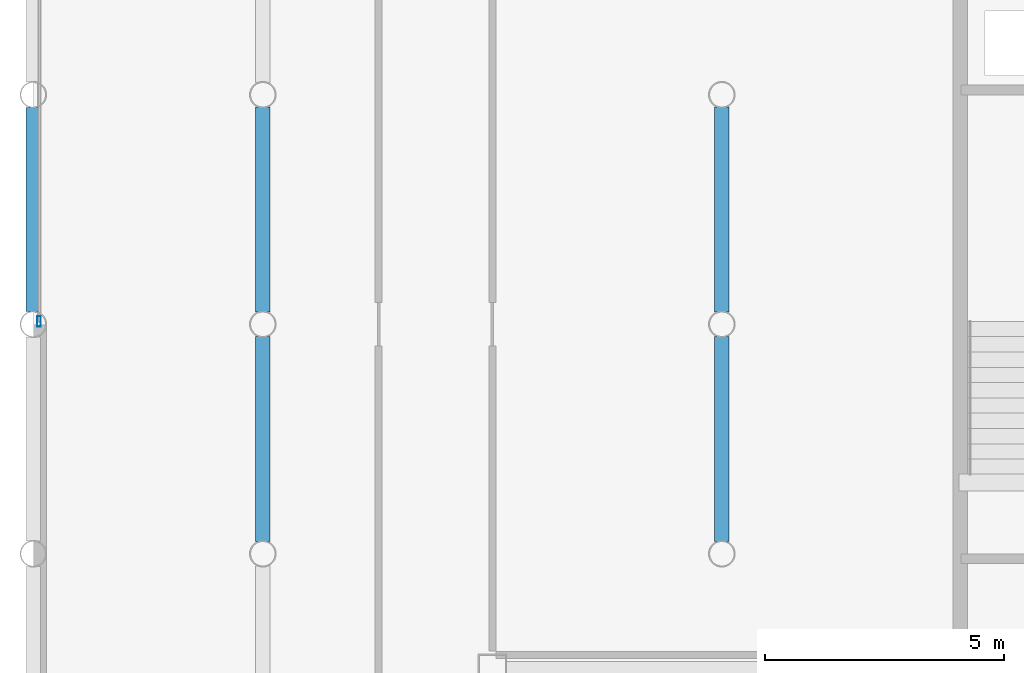
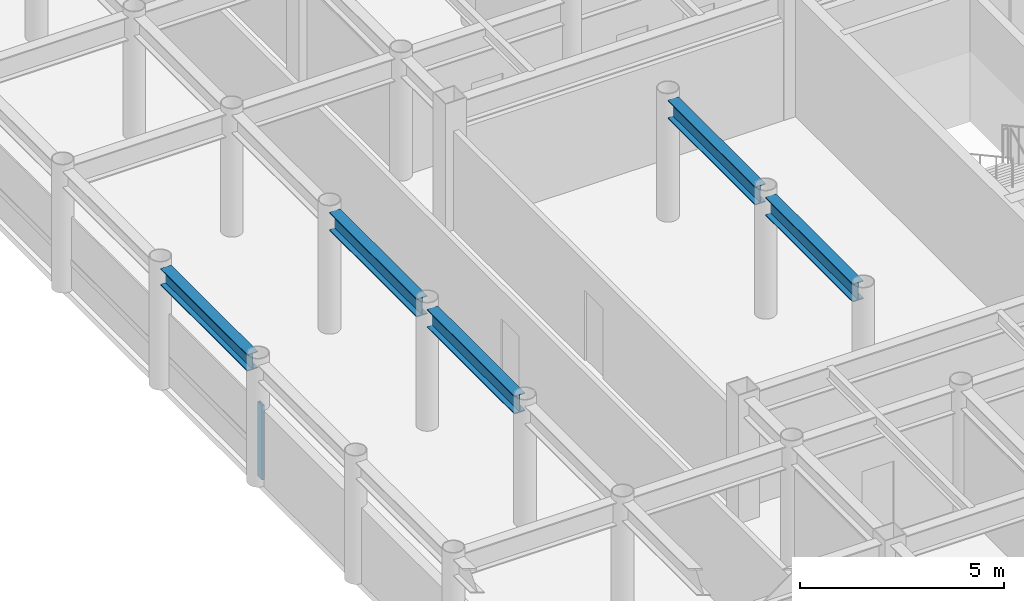
# One storey, part 6 of 22: 5 beams, 1 member, 1 element without a shape of its own.
"""IFC4 building model written with IfcOpenShell, lengths in metres."""

from ifc_helpers import new_model, si_unit, direction, frame, origin, origin_2d, place, context, subcontext, project, spatial, hollow_rectangle, i_section, extrude, material, layer, layer_set, material_profile, profile_set, type_object, element, aggregate, save


model = new_model("IFC4")

# Units and contexts
model_context = context("Model", 3, precision=1e-05, world=origin(), true_north=direction((0.0, 1.0)))
body_context = subcontext(model_context, "Body", "Model", "MODEL_VIEW")
ifc_project = project(units=[si_unit("LENGTHUNIT", "METRE"), si_unit("AREAUNIT", "SQUARE_METRE"), si_unit("VOLUMEUNIT", "CUBIC_METRE"), si_unit("PLANEANGLEUNIT", "RADIAN"), si_unit("MASSUNIT", "GRAM", prefix="KILO")], contexts=[model_context])

# Site, building, storey
site_placement = place(None, origin())
site = spatial("IfcSite", under=ifc_project, at=site_placement, CompositionType="ELEMENT")
building_placement = place(site_placement, origin())
building = spatial("IfcBuilding", under=site, at=building_placement, Name="Kallvorn Hotel Tower", CompositionType="ELEMENT")
storey_placement = place(building_placement, frame((0.0, 0.0, 253.10009765625)))
storey = spatial("IfcBuildingStorey", under=building, at=storey_placement, Name="L63", CompositionType="ELEMENT", Elevation=253.10009765625)

# Beams
ifc_material_1 = material(Name="Structural steel S355JR", Category="steel")
ifc_material_profile_1 = material_profile(ifc_material_1, i_section(OverallWidth=0.300048828125, OverallDepth=0.5, WebThickness=0.014404296875, FlangeThickness=0.028076171875, at=origin_2d()), Name="HE 500 B")
ifc_profile_set_1 = profile_set([ifc_material_profile_1], Name="Structural steel S355JR")
beam_type_1 = type_object("IfcBeamType", Name="BM_HE500B", PredefinedType="SPANDREL", material=ifc_profile_set_1)
beam_placement = place(storey_placement, frame((-33.60009765625, 0.26953125, 3.419921875), z_axis=(0.0, 1.0, 0.0), x_axis=(-1.0, 0.0, 0.0)))
element("IfcBeam", 1, at=beam_placement, inside=storey, type_object=beam_type_1, Name="L64 Perimeter Spandrel 177", PredefinedType="SPANDREL", context=body_context, shape_type="SweptSolid", body=[
    extrude(i_section(OverallWidth=0.300048828125, OverallDepth=0.5, WebThickness=0.014404296875, FlangeThickness=0.028076171875, at=origin_2d()), origin(), (0.0, 0.0, 1.0), 4.260986328125),
])
ifc_material_2 = material(Name="Structural steel S355JR", Category="steel")
ifc_material_profile_2 = material_profile(ifc_material_2, i_section(OverallWidth=0.300048828125, OverallDepth=0.550048828125, WebThickness=0.014892578125, FlangeThickness=0.029052734375, at=origin_2d()), Name="HE 550 B")
ifc_profile_set_2 = profile_set([ifc_material_profile_2], Name="Structural steel S355JR")
beam_type_2 = type_object("IfcBeamType", Name="BM_HE550B", PredefinedType="SPANDREL", material=ifc_profile_set_2)
for number, where, z_axis, x_axis, name in (
    (2, (-28.800048828125, -4.54541015625, 3.39501953125), (0.0, 1.0, 0.0), (-1.0, 0.0, 0.0), "L64 Primary Y-Girder 76"),
    (3, (-28.800048828125, 0.25439453125, 3.39501953125), (0.0, 1.0, 0.0), (-1.0, 0.0, 0.0), "L64 Primary Y-Girder 77"),
    (4, (-19.199951171875, -4.54541015625, 3.39501953125), (0.0, 1.0, 0.0), (-1.0, 0.0, 0.0), "L64 Primary Y-Girder 92"),
    (5, (-19.199951171875, 0.25439453125, 3.39501953125), (0.0, 1.0, 0.0), (-1.0, 0.0, 0.0), "L64 Primary Y-Girder 93"),
):
    element("IfcBeam", number, at=place(storey_placement, frame(where, z_axis=z_axis, x_axis=x_axis)), inside=storey, type_object=beam_type_2, Name=name, PredefinedType="SPANDREL", context=body_context, shape_type="SweptSolid", body=[
        extrude(i_section(OverallWidth=0.300048828125, OverallDepth=0.550048828125, WebThickness=0.014892578125, FlangeThickness=0.029052734375, at=origin_2d()), origin(), (0.0, 0.0, 1.0), 4.291015625),
    ])

# Curtain wall, member
ifc_material_3 = material(Name="Thermally broken black-anodised aluminium AA 6063-T6", Category="aluminium")
ifc_layer = layer(ifc_material_3, 0.22998046875)
ifc_layer_set = layer_set([ifc_layer], Name="CW_SYS_5_HOTEL_HIGH")
curtain_wall_type = type_object("IfcCurtainWallType", Name="CW_SYS_5_HOTEL_HIGH", PredefinedType="USERDEFINED", material=ifc_layer_set)
curtain_wall_placement = place(storey_placement, origin())
curtain_wall = element("IfcCurtainWall", 6, at=curtain_wall_placement, inside=storey, type_object=curtain_wall_type, Name="L63 Dark-Glass Curtain Wall CW-L63-WN", ObjectType="UNITISED CURTAIN WALL", PredefinedType="USERDEFINED")
ifc_material_4 = material(Name="Thermally broken black-anodised aluminium AA 6063-T6", Category="aluminium")
ifc_material_profile_3 = material_profile(ifc_material_4, hollow_rectangle(XDim=0.080078125, YDim=0.219970703125, WallThickness=0.0048828125, at=origin_2d()), Name="MUL 220x80")
ifc_profile_set_3 = profile_set([ifc_material_profile_3], Name="Thermally broken black-anodised aluminium AA 6063-T6")
member_type = type_object("IfcMemberType", Name="CW_MULLION_220x80", PredefinedType="MULLION", material=ifc_profile_set_3)
member_placement = place(storey_placement, frame((-33.47998046875, 0.06005859375, 0.02001953125), z_axis=(0.0, 0.0, 1.0), x_axis=(1.0, 0.0, 0.0)))
member = element("IfcMember", 7, at=member_placement, type_object=member_type, Name="CW-L63-WN Mullion 00", PredefinedType="MULLION", context=body_context, shape_type="SweptSolid", body=[
    extrude(hollow_rectangle(XDim=0.080078125, YDim=0.219970703125, WallThickness=0.0048828125, at=origin_2d()), origin(), (0.0, 0.0, 1.0), 2.22998046875),
])
aggregate(curtain_wall, [member])

save(model, "model.ifc")
